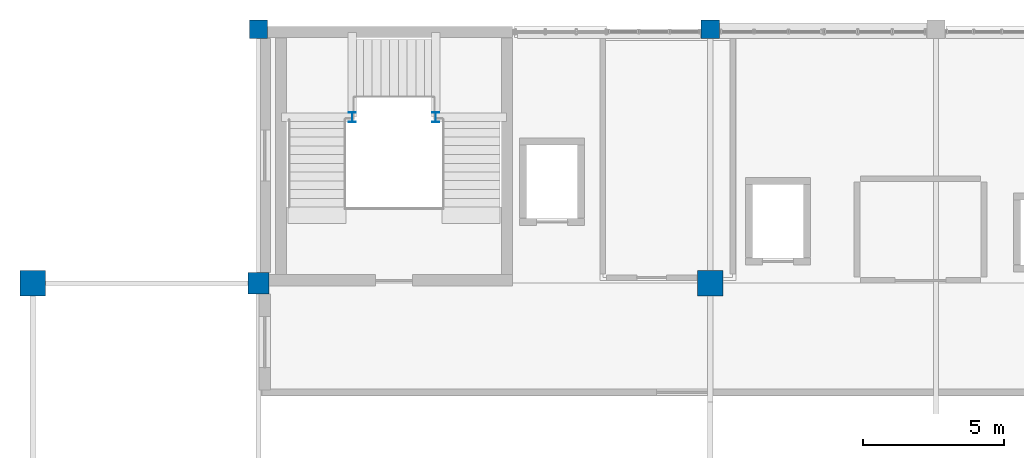
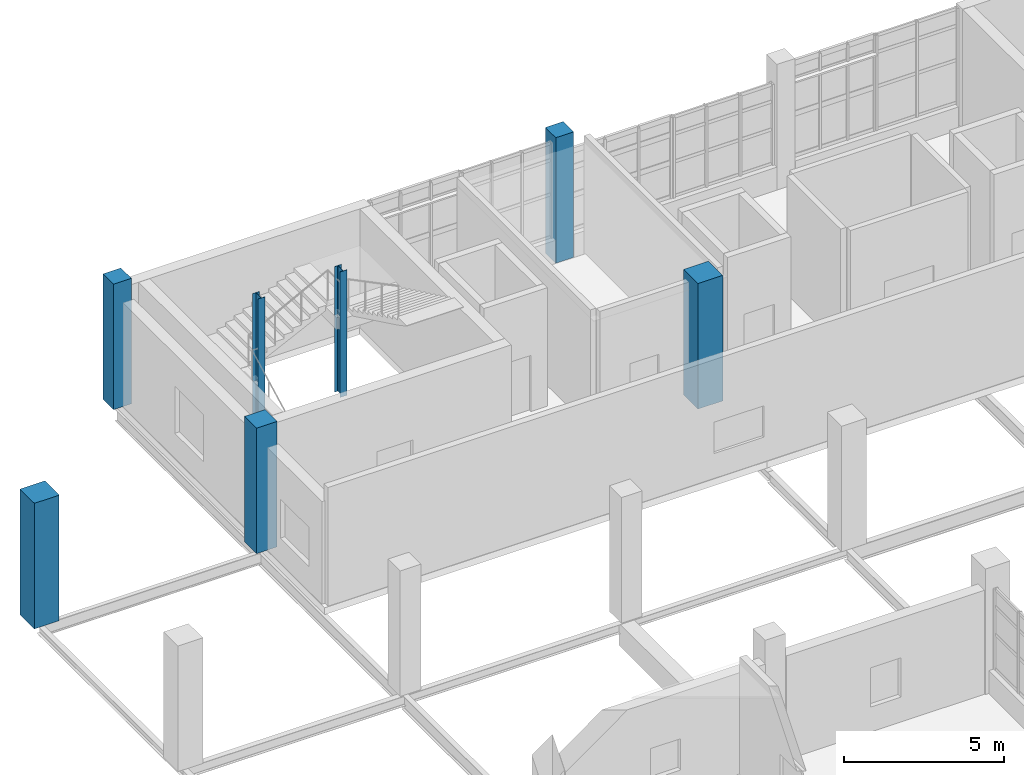
# One storey, part 10 of 100: 7 columns.
"""IFC4 building model written with IfcOpenShell, lengths in metres."""

from ifc_helpers import new_model, si_unit, derived_unit, direction, frame, origin, origin_2d, place, context, subcontext, project, spatial, rectangle, i_section, extrude, material, material_profile, profile_set, type_object, element, save


model = new_model("IFC4")

# Units and contexts
model_context = context("Model", 3, precision=1e-05, world=origin(), true_north=direction((0.0, 1.0)))
body_context = subcontext(model_context, "Body", "Model", "MODEL_VIEW")
ifc_project = project(units=[si_unit("LENGTHUNIT", "METRE"), si_unit("AREAUNIT", "SQUARE_METRE"), si_unit("VOLUMEUNIT", "CUBIC_METRE"), si_unit("PLANEANGLEUNIT", "RADIAN"), si_unit("MASSUNIT", "GRAM", prefix="KILO"), derived_unit("THERMALTRANSMITTANCEUNIT", [(si_unit("POWERUNIT", "WATT"), 1), (si_unit("LENGTHUNIT", "METRE"), -2), (si_unit("THERMODYNAMICTEMPERATUREUNIT", "KELVIN"), -1)])], contexts=[model_context])

# Site, building, storey
site_placement = place(None, origin())
site = spatial("IfcSite", under=ifc_project, at=site_placement, CompositionType="ELEMENT")
building_placement = place(site_placement, origin())
building = spatial("IfcBuilding", under=site, at=building_placement, Name="Nallur Shell Playhouse", CompositionType="ELEMENT")
storey_placement = place(building_placement, frame((0.0, 0.0, 10.199951171875)))
storey = spatial("IfcBuildingStorey", under=building, at=storey_placement, Name="L03", CompositionType="ELEMENT", Elevation=10.199951171875)

# Columns
ifc_material_1 = material(Name="Concrete M35", Category="concrete")
ifc_material_profile_1 = material_profile(ifc_material_1, rectangle(XDim=0.64990234375, YDim=0.64990234375, at=origin_2d()), Name="RC 650x650")
ifc_profile_set_1 = profile_set([ifc_material_profile_1], Name="Concrete M35")
column_type_1 = type_object("IfcColumnType", Name="CL-RC-650", PredefinedType="COLUMN", material=ifc_profile_set_1)
for number, where, z_axis, x_axis, name in (
    (1, (24.0, 83.0, 0.0), (0.0, 0.0, 1.0), (1.0, 0.0, 0.0), "Column 3-K (L03)"),
    (2, (40.0, 83.0, 0.0), (0.0, 0.0, 1.0), (1.0, 0.0, 0.0), "Column 5-K (L03)"),
):
    element("IfcColumn", number, at=place(storey_placement, frame(where, z_axis=z_axis, x_axis=x_axis)), inside=storey, type_object=column_type_1, Name=name, PredefinedType="COLUMN", context=body_context, shape_type="SweptSolid", body=[
        extrude(rectangle(XDim=0.64990234375, YDim=0.64990234375, at=origin_2d()), origin(), (0.0, 0.0, 1.0), 4.800048828125),
    ])
ifc_material_2 = material(Name="Concrete M40", Category="concrete")
ifc_material_profile_2 = material_profile(ifc_material_2, rectangle(XDim=0.75, YDim=0.75, at=origin_2d()), Name="RC 750x750")
ifc_profile_set_2 = profile_set([ifc_material_profile_2], Name="Concrete M40")
column_type_2 = type_object("IfcColumnType", Name="CL-RC-750", PredefinedType="COLUMN", material=ifc_profile_set_2)
column_placement = place(storey_placement, frame((24.0, 74.0, 0.0), z_axis=(0.0, 0.0, 1.0), x_axis=(1.0, 0.0, 0.0)))
element("IfcColumn", 3, at=column_placement, inside=storey, type_object=column_type_2, Name="Column 3-J (L03)", PredefinedType="COLUMN", context=body_context, shape_type="SweptSolid", body=[
    extrude(rectangle(XDim=0.75, YDim=0.75, at=origin_2d()), origin(), (0.0, 0.0, 1.0), 4.800048828125),
])
ifc_material_profile_3 = material_profile(ifc_material_2, rectangle(XDim=0.89990234375, YDim=0.89990234375, at=origin_2d()), Name="RC 900x900")
ifc_profile_set_3 = profile_set([ifc_material_profile_3], Name="Concrete M40")
column_type_3 = type_object("IfcColumnType", Name="CL-RC-900", PredefinedType="COLUMN", material=ifc_profile_set_3)
for number, where, z_axis, x_axis, name in (
    (4, (16.0, 74.0, 0.0), (0.0, 0.0, 1.0), (1.0, 0.0, 0.0), "Column 2-J (L03)"),
    (5, (40.0, 74.0, 0.0), (0.0, 0.0, 1.0), (1.0, 0.0, 0.0), "Column 5-J (L03)"),
):
    element("IfcColumn", number, at=place(storey_placement, frame(where, z_axis=z_axis, x_axis=x_axis)), inside=storey, type_object=column_type_3, Name=name, PredefinedType="COLUMN", context=body_context, shape_type="SweptSolid", body=[
        extrude(rectangle(XDim=0.89990234375, YDim=0.89990234375, at=origin_2d()), origin(), (0.0, 0.0, 1.0), 4.800048828125),
    ])
ifc_material_3 = material(Name="Steel E350", Category="steel")
ifc_material_profile_4 = material_profile(ifc_material_3, i_section(OverallWidth=0.25, OverallDepth=0.35009765625, WebThickness=0.010009765625, FlangeThickness=0.01171875, FilletRadius=0.011962890625, at=origin_2d()), Name="ISHB 350")
ifc_profile_set_4 = profile_set([ifc_material_profile_4], Name="Steel E350")
column_type_4 = type_object("IfcColumnType", Name="CL-ST-ISHB350", PredefinedType="COLUMN", material=ifc_profile_set_4)
for number, where, z_axis, x_axis, name in (
    (6, (27.320068359375, 79.8798828125, 0.0), (0.0, 0.0, 1.0), (1.0, 0.0, 0.0), "Column STW-JC-6-W (L03)"),
    (7, (30.280029296875, 79.8798828125, 0.0), (0.0, 0.0, 1.0), (1.0, 0.0, 0.0), "Column STW-JC-6-E (L03)"),
):
    element("IfcColumn", number, at=place(storey_placement, frame(where, z_axis=z_axis, x_axis=x_axis)), inside=storey, type_object=column_type_4, Name=name, PredefinedType="COLUMN", context=body_context, shape_type="SweptSolid", body=[
        extrude(i_section(OverallWidth=0.25, OverallDepth=0.35009765625, WebThickness=0.010009765625, FlangeThickness=0.01171875, FilletRadius=0.011962890625, at=origin_2d()), origin(), (0.0, 0.0, 1.0), 4.800048828125),
    ])

save(model, "model.ifc")
